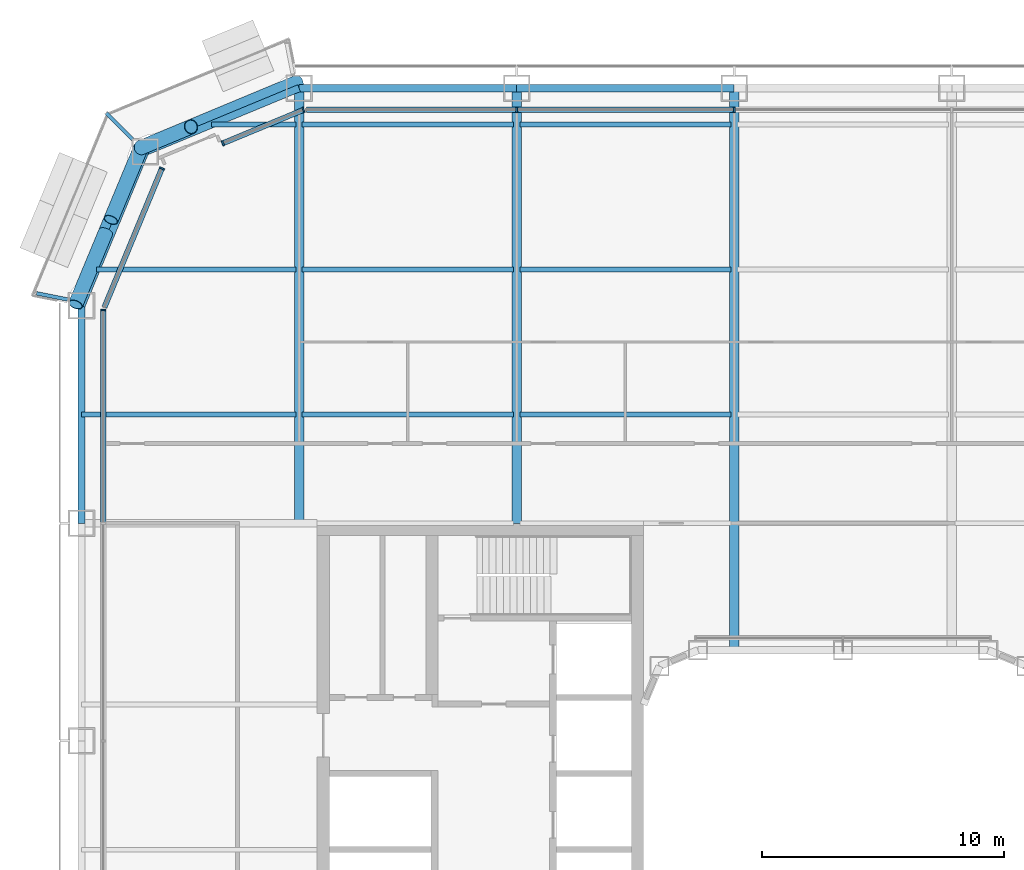
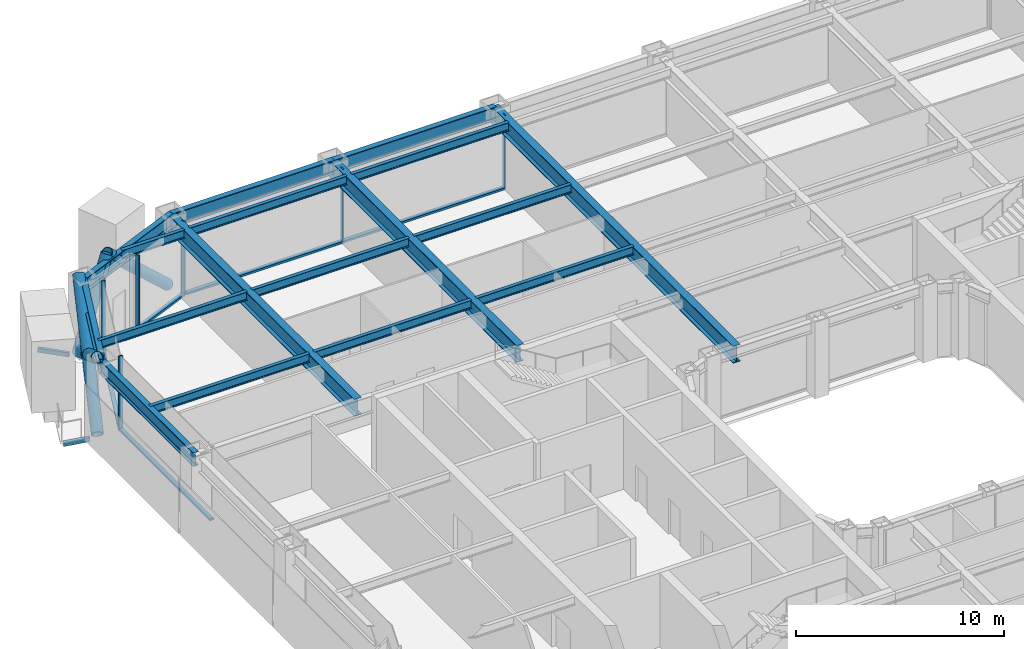
# One storey, part 7 of 29: 19 beams, 16 members, 4 elements without a shape of their own.
"""IFC4 building model written with IfcOpenShell, lengths in metres."""

import ifcopenshell
import ifcopenshell.guid

model = None  # the IFC model being written
_history = None  # IfcOwnerHistory: only IFC2X3 demands one
_inside = {}  # id of a spatial element -> (the spatial element, [elements in it])
_under = {}  # id of a project, library or spatial element -> (it, [spatial elements below it])
_declared = {}  # id of a project -> (the project, [libraries it declares])
_typed = {}  # id of a type object -> (the type object, [elements of that type])
_made_of = {}  # id of a material, layer set ... -> (it, [elements and type objects made of it])


def new_model(schema):
    """Start an empty IFC model of exactly this schema.

    Asked for "IFC4X3", IfcOpenShell would pick the latest addendum, in which some entities
    have other attributes; the version numbers below select the first issue.
    IFC2X3 requires an IfcOwnerHistory on every rooted entity: one is made here for all.
    """
    global model, _history
    if schema == "IFC4X3":
        model = ifcopenshell.file(schema_version=(4, 3, 0, 0))
    else:
        model = ifcopenshell.file(schema=schema)
    _inside.clear()
    _under.clear()
    _declared.clear()
    _typed.clear()
    _made_of.clear()
    _history = None
    if model.schema == "IFC2X3":
        org = make("IfcOrganization", Name="unknown")
        user = make(
            "IfcPersonAndOrganization",
            ThePerson=make("IfcPerson", FamilyName="unknown"),
            TheOrganization=org,
        )
        app = make(
            "IfcApplication",
            ApplicationDeveloper=org,
            Version="unknown",
            ApplicationFullName="unknown",
            ApplicationIdentifier="unknown",
        )
        _history = make(
            "IfcOwnerHistory",
            OwningUser=user,
            OwningApplication=app,
            ChangeAction="ADDED",
            CreationDate=0,
        )
    return model


def make(cls, **values):
    """One entity of the class cls with the attributes given. An attribute that is None is left unset."""
    return model.create_entity(
        cls, **{name: value for name, value in values.items() if value is not None}
    )


def rooted(cls, **values):
    """An entity with a GlobalId (a new one), such as an element, a storey or a relation."""
    return make(cls, GlobalId=ifcopenshell.guid.new(), OwnerHistory=_history, **values)


def si_unit(unit_type, name, prefix=None):
    """IfcSIUnit, for example si_unit("LENGTHUNIT", "METRE", prefix="MILLI")."""
    return make("IfcSIUnit", UnitType=unit_type, Prefix=prefix, Name=name)


def assignment(units):
    """IfcUnitAssignment: the units of a project."""
    return None if units is None else make("IfcUnitAssignment", Units=units)


def point(xyz):
    """IfcCartesianPoint."""
    return None if xyz is None else make("IfcCartesianPoint", Coordinates=xyz)


def direction(xyz):
    """IfcDirection."""
    return None if xyz is None else make("IfcDirection", DirectionRatios=xyz)


def frame(location, z_axis=None, x_axis=None):
    """IfcAxis2Placement3D, a coordinate frame: its origin and axes. An axis left out is left unset."""
    return make(
        "IfcAxis2Placement3D",
        Location=point(location),
        Axis=direction(z_axis),
        RefDirection=direction(x_axis),
    )


def frame_2d(location, x_axis=None):
    """IfcAxis2Placement2D, a coordinate frame in the plane: its origin and x axis."""
    return make(
        "IfcAxis2Placement2D", Location=point(location), RefDirection=direction(x_axis)
    )


def origin():
    """The frame at (0, 0, 0) with its axes left unset."""
    return frame((0.0, 0.0, 0.0))


def origin_2d():
    """The frame at (0, 0) in the plane with its x axis left unset."""
    return frame_2d((0.0, 0.0))


def place(relative_to, where):
    """IfcLocalPlacement: puts the frame where relative to a parent placement (None: the world)."""
    return make(
        "IfcLocalPlacement", PlacementRelTo=relative_to, RelativePlacement=where
    )


def context(
    kind, dimensions, precision=None, world=None, true_north=None, identifier=None
):
    """IfcGeometricRepresentationContext, for example the 3D "Model" context."""
    return make(
        "IfcGeometricRepresentationContext",
        ContextIdentifier=identifier,
        ContextType=kind,
        CoordinateSpaceDimension=dimensions,
        Precision=precision,
        WorldCoordinateSystem=world,
        TrueNorth=true_north,
    )


def subcontext(parent, identifier, kind, view, scale=None):
    """IfcGeometricRepresentationSubContext, for example "Body" below "Model"."""
    return make(
        "IfcGeometricRepresentationSubContext",
        ContextIdentifier=identifier,
        ContextType=kind,
        ParentContext=parent,
        TargetScale=scale,
        TargetView=view,
    )


def project(units=None, contexts=None):
    """IfcProject with its units and contexts."""
    return rooted(
        "IfcProject",
        Name="project",
        RepresentationContexts=contexts,
        UnitsInContext=assignment(units),
    )


def spatial(cls, under=None, at=None, **own):
    """A site, building, storey or space (cls), placed at a placement, below another one or the project."""
    s = rooted(cls, ObjectPlacement=at, **own)
    if under is not None:
        _under.setdefault(under.id(), (under, []))[1].append(s)
    return s


def profile(cls, at=None, kind="AREA", **sizes):
    """A parametric profile (cls). Its sizes go by their IFC names, for example OverallWidth=200.0."""
    return make(cls, ProfileType=kind, Position=at, **sizes)


def rectangle(**sizes):
    """IfcRectangleProfileDef."""
    return profile("IfcRectangleProfileDef", **sizes)


def hollow_rectangle(**sizes):
    """IfcRectangleHollowProfileDef."""
    return profile("IfcRectangleHollowProfileDef", **sizes)


def hollow_circle(**sizes):
    """IfcCircleHollowProfileDef."""
    return profile("IfcCircleHollowProfileDef", **sizes)


def i_section(**sizes):
    """IfcIShapeProfileDef."""
    return profile("IfcIShapeProfileDef", **sizes)


def extrude(swept, where, along, depth):
    """IfcExtrudedAreaSolid: the profile swept, set in the frame where, extruded along a direction by depth."""
    return make(
        "IfcExtrudedAreaSolid",
        SweptArea=swept,
        Position=where,
        ExtrudedDirection=direction(along),
        Depth=depth,
    )


def shape(context_of_items, identifier, shape_type, items):
    """IfcShapeRepresentation: the items that make up one representation, for example the "Body"."""
    return make(
        "IfcShapeRepresentation",
        ContextOfItems=context_of_items,
        RepresentationIdentifier=identifier,
        RepresentationType=shape_type,
        Items=items,
    )


def material(Name=None, Category=None):
    """IfcMaterial."""
    return make("IfcMaterial", Name=Name, Category=Category)


def layer(
    of_material, thickness, ventilated=None, Name=None, Category=None, Priority=None
):
    """IfcMaterialLayer: one layer of a wall or slab, of a material (None: an air gap)."""
    return make(
        "IfcMaterialLayer",
        Material=of_material,
        LayerThickness=thickness,
        IsVentilated=ventilated,
        Name=Name,
        Category=Category,
        Priority=Priority,
    )


def layer_set(layers, Name=None):
    """IfcMaterialLayerSet."""
    return make("IfcMaterialLayerSet", MaterialLayers=layers, LayerSetName=Name)


def material_profile(
    of_material, cross_section, Name=None, Category=None, Priority=None
):
    """IfcMaterialProfile: a cross section and its material."""
    return make(
        "IfcMaterialProfile",
        Name=Name,
        Material=of_material,
        Profile=cross_section,
        Priority=Priority,
        Category=Category,
    )


def profile_set(profiles, Name=None, composite=None):
    """IfcMaterialProfileSet."""
    return make(
        "IfcMaterialProfileSet",
        Name=Name,
        MaterialProfiles=profiles,
        CompositeProfile=composite,
    )


def made_of(thing, what):
    """Note that an element or type object is made of a material, layer set ...; save() writes the relation."""
    if what is not None:
        _made_of.setdefault(what.id(), (what, []))[1].append(thing)
    return thing


def type_object(cls, material=None, **own):
    """A type object (cls), such as IfcWallType, which elements share."""
    return made_of(rooted(cls, **own), material)


def element(
    cls,
    number,
    at=None,
    inside=None,
    cuts=None,
    type_object=None,
    material=None,
    context=None,
    identifier="Body",
    shape_type=None,
    held_by="IfcProductDefinitionShape",
    body=None,
    shapes=None,
    **own,
):
    """One element of the class cls, such as IfcWall. Its Tag is "e" and its number.

    at: its placement. inside: the storey or other place that contains it. cuts: it is an
    opening in that element (IfcRelVoidsElement). A single representation is given by context,
    identifier, shape_type and body (its items); several are given by shapes. held_by: the class
    of the entity that holds the representations. save() writes the other relations.
    """
    e = rooted(cls, Tag="e%d" % number, ObjectPlacement=at, **own)
    if body is not None:
        shapes = [shape(context, identifier, shape_type, body)]
    if shapes is not None:
        e.Representation = make(held_by, Representations=shapes)
    if inside is not None:
        _inside.setdefault(inside.id(), (inside, []))[1].append(e)
    if cuts is not None:
        rooted(
            "IfcRelVoidsElement", RelatingBuildingElement=cuts, RelatedOpeningElement=e
        )
    if type_object is not None:
        _typed.setdefault(type_object.id(), (type_object, []))[1].append(e)
    return made_of(e, material)


def aggregate(whole, parts):
    """IfcRelAggregates: a whole, such as a stair, and the parts it consists of."""
    return rooted("IfcRelAggregates", RelatingObject=whole, RelatedObjects=parts)


def save(model, path):
    """Write the relations noted so far, then the file.

    IfcRelAggregates (storeys below a building ...), IfcRelContainedInSpatialStructure (elements
    in a storey), IfcRelDefinesByType, IfcRelAssociatesMaterial and IfcRelDeclares: one each for
    every whole, place, type object, material and project.
    """
    for whole, parts in _under.values():
        aggregate(whole, parts)
    for where, things in _inside.values():
        rooted(
            "IfcRelContainedInSpatialStructure",
            RelatedElements=things,
            RelatingStructure=where,
        )
    for kind, things in _typed.values():
        rooted("IfcRelDefinesByType", RelatedObjects=things, RelatingType=kind)
    for what, things in _made_of.values():
        rooted("IfcRelAssociatesMaterial", RelatedObjects=things, RelatingMaterial=what)
    for by, libraries in _declared.values():
        rooted("IfcRelDeclares", RelatingContext=by, RelatedDefinitions=libraries)
    model.write(path)


model = new_model("IFC4")

# Units and contexts
model_context = context("Model", 3, precision=1e-05, world=origin(), true_north=direction((0.0, 1.0)))
body_context = subcontext(model_context, "Body", "Model", "MODEL_VIEW")
ifc_project = project(units=[si_unit("LENGTHUNIT", "METRE"), si_unit("AREAUNIT", "SQUARE_METRE"), si_unit("VOLUMEUNIT", "CUBIC_METRE"), si_unit("PLANEANGLEUNIT", "RADIAN"), si_unit("MASSUNIT", "GRAM", prefix="KILO")], contexts=[model_context])

# Site, building, storey
site_placement = place(None, origin())
site = spatial("IfcSite", under=ifc_project, at=site_placement, CompositionType="ELEMENT")
building_placement = place(site_placement, origin())
building = spatial("IfcBuilding", under=site, at=building_placement, Name="Siwar Civic Tower", CompositionType="ELEMENT")
storey_placement = place(building_placement, frame((0.0, 0.0, 49.199951171875)))
storey = spatial("IfcBuildingStorey", under=building, at=storey_placement, Name="L10", CompositionType="ELEMENT", Elevation=49.199951171875)

# Beams
ifc_material_1 = material(Name="Steel S355", Category="steel")
ifc_material_profile_1 = material_profile(ifc_material_1, hollow_rectangle(XDim=0.14990234375, YDim=0.25, WallThickness=0.010009765625, at=origin_2d()), Name="RHS250x150x10")
ifc_profile_set_1 = profile_set([ifc_material_profile_1], Name="Steel S355")
beam_type_1 = type_object("IfcBeamType", Name="ENV-BALCONY ARM", PredefinedType="BEAM", material=ifc_profile_set_1)
beam_1_placement = place(storey_placement, frame((-29.378662109375, 29.378662109375, -0.27490234375), z_axis=(-0.707106781187, 0.707106781187, 0.0), x_axis=(-0.707106781187, -0.707106781187, 0.0)))
element("IfcBeam", 1, at=beam_1_placement, inside=storey, type_object=beam_type_1, Name="Balcony cantilever beam NW 2", PredefinedType="BEAM", context=body_context, shape_type="SweptSolid", body=[
    extrude(hollow_rectangle(XDim=0.14990234375, YDim=0.25, WallThickness=0.010009765625, at=origin_2d()), origin(), (0.0, 0.0, 1.0), 1.545166015625),
])
beam_2_placement = place(storey_placement, frame((-32.059814453125, 22.754150390625, -0.27490234375), z_axis=(-0.980799833553, 0.195017144127, 0.0), x_axis=(-0.195017144127, -0.980799833553, 0.0)))
element("IfcBeam", 2, at=beam_2_placement, inside=storey, type_object=beam_type_1, Name="Balcony cantilever beam NW 3", PredefinedType="BEAM", context=body_context, shape_type="SweptSolid", body=[
    extrude(hollow_rectangle(XDim=0.14990234375, YDim=0.25, WallThickness=0.010009765625, at=origin_2d()), origin(), (0.0, 0.0, 1.0), 1.324462890625),
])

# Curtain wall, members
ifc_material_2 = material(Name="Aluminium and glass", Category="aluminium")
ifc_layer_1 = layer(ifc_material_2, 0.219970703125)
ifc_layer_set_1 = layer_set([ifc_layer_1], Name="Aluminium and glass")
curtain_wall_type_1 = type_object("IfcCurtainWallType", Name="ENV-CW-A", PredefinedType="NOTDEFINED", material=ifc_layer_set_1)
curtain_wall_1_placement = place(storey_placement, origin())
curtain_wall_1 = element("IfcCurtainWall", 3, at=curtain_wall_1_placement, inside=storey, type_object=curtain_wall_type_1, Name="Curtain wall A N", PredefinedType="NOTDEFINED")
ifc_material_3 = material(Name="Aluminium 6063-T6", Category="aluminium")
ifc_material_profile_2 = material_profile(ifc_material_3, rectangle(XDim=0.219970703125, YDim=0.070068359375, at=origin_2d()), Name="AL 220x70")
ifc_profile_set_2 = profile_set([ifc_material_profile_2], Name="Aluminium 6063-T6")
member_type_1 = type_object("IfcMemberType", Name="ENV-MULLION-A", PredefinedType="MULLION", material=ifc_profile_set_2)
member_1_placement = place(storey_placement, frame((-4.5, 30.60009765625, 0.0), z_axis=(0.0, 0.0, 1.0), x_axis=(0.0, -1.0, 0.0)))
member_1 = element("IfcMember", 4, at=member_1_placement, type_object=member_type_1, Name="Mullion A N 4", PredefinedType="MULLION", context=body_context, shape_type="SweptSolid", body=[
    extrude(rectangle(XDim=0.219970703125, YDim=0.070068359375, at=origin_2d()), origin(), (0.0, 0.0, 1.0), 4.35009765625),
])
member_2_placement = place(storey_placement, frame((-13.5, 30.60009765625, 0.0), z_axis=(0.0, 0.0, 1.0), x_axis=(0.0, -1.0, 0.0)))
member_2 = element("IfcMember", 5, at=member_2_placement, type_object=member_type_1, Name="Mullion A N 5", PredefinedType="MULLION", context=body_context, shape_type="SweptSolid", body=[
    extrude(rectangle(XDim=0.219970703125, YDim=0.070068359375, at=origin_2d()), origin(), (0.0, 0.0, 1.0), 4.35009765625),
])

ifc_material_4 = material(Name="Aluminium clad insulated panel", Category="aluminium")
ifc_layer_2 = layer(ifc_material_4, 0.219970703125)
ifc_layer_set_2 = layer_set([ifc_layer_2], Name="Aluminium clad insulated panel")
curtain_wall_type_2 = type_object("IfcCurtainWallType", Name="ENV-CW-AX", PredefinedType="NOTDEFINED", material=ifc_layer_set_2)
curtain_wall_2_placement = place(storey_placement, origin())
curtain_wall_2 = element("IfcCurtainWall", 6, at=curtain_wall_2_placement, inside=storey, type_object=curtain_wall_type_2, Name="Curtain wall A NW1", PredefinedType="NOTDEFINED")
member_3_placement = place(storey_placement, frame((-22.321044921875, 30.60009765625, 0.0), z_axis=(0.0, 0.0, 1.0), x_axis=(0.382683432365, -0.923879532511, 0.0)))
member_3 = element("IfcMember", 7, at=member_3_placement, type_object=member_type_1, Name="Mullion A NW1 1", PredefinedType="MULLION", context=body_context, shape_type="SweptSolid", body=[
    extrude(rectangle(XDim=0.219970703125, YDim=0.070068359375, at=origin_2d()), origin(), (0.0, 0.0, 1.0), 4.35009765625),
])
member_4_placement = place(storey_placement, frame((-25.653564453125, 29.219482421875, 0.0), z_axis=(0.0, 0.0, 1.0), x_axis=(0.382683432365, -0.923879532511, 0.0)))
member_4 = element("IfcMember", 8, at=member_4_placement, type_object=member_type_1, Name="Mullion A NW1 2", PredefinedType="MULLION", context=body_context, shape_type="SweptSolid", body=[
    extrude(rectangle(XDim=0.219970703125, YDim=0.070068359375, at=origin_2d()), origin(), (0.0, 0.0, 1.0), 4.35009765625),
])

# Curtain wall, member
curtain_wall_3_placement = place(storey_placement, origin())
curtain_wall_3 = element("IfcCurtainWall", 9, at=curtain_wall_3_placement, inside=storey, type_object=curtain_wall_type_2, Name="Curtain wall A NW2", PredefinedType="NOTDEFINED")
member_5_placement = place(storey_placement, frame((-28.175048828125, 28.175048828125, 0.0), z_axis=(0.0, 0.0, 1.0), x_axis=(0.923879532511, -0.382683432365, 0.0)))
member_5 = element("IfcMember", 10, at=member_5_placement, type_object=member_type_1, Name="Mullion A NW2 1", PredefinedType="MULLION", context=body_context, shape_type="SweptSolid", body=[
    extrude(rectangle(XDim=0.219970703125, YDim=0.070068359375, at=origin_2d()), origin(), (0.0, 0.0, 1.0), 4.35009765625),
])

curtain_wall_4_placement = place(storey_placement, origin())
curtain_wall_4 = element("IfcCurtainWall", 11, at=curtain_wall_4_placement, inside=storey, type_object=curtain_wall_type_1, Name="Curtain wall A W", PredefinedType="NOTDEFINED")
member_6_placement = place(storey_placement, frame((-30.60009765625, 22.321044921875, 0.0), z_axis=(0.0, 0.0, 1.0), x_axis=(1.0, 0.0, 0.0)))
member_6 = element("IfcMember", 12, at=member_6_placement, type_object=member_type_1, Name="Mullion A W 1", PredefinedType="MULLION", context=body_context, shape_type="SweptSolid", body=[
    extrude(rectangle(XDim=0.219970703125, YDim=0.070068359375, at=origin_2d()), origin(), (0.0, 0.0, 1.0), 4.35009765625),
])

# Member
ifc_material_5 = material(Name="Aluminium 6063-T6", Category="aluminium")
ifc_material_profile_3 = material_profile(ifc_material_5, rectangle(XDim=0.219970703125, YDim=0.1201171875, at=origin_2d()), Name="AL 220x120")
ifc_profile_set_3 = profile_set([ifc_material_profile_3], Name="Aluminium 6063-T6")
member_type_2 = type_object("IfcMemberType", Name="ENV-TRANSOM-A", PredefinedType="USERDEFINED", material=ifc_profile_set_3)
member_7_placement = place(storey_placement, frame((-4.534912109375, 30.60009765625, 0.06005859375), z_axis=(-1.0, 0.0, 0.0), x_axis=(0.0, -1.0, 0.0)))
member_7 = element("IfcMember", 13, at=member_7_placement, type_object=member_type_2, Name="Transom A N 4", ObjectType="TRANSOM", PredefinedType="USERDEFINED", context=body_context, shape_type="SweptSolid", body=[
    extrude(rectangle(XDim=0.219970703125, YDim=0.1201171875, at=origin_2d()), origin(), (0.0, 0.0, 1.0), 8.93017578125),
])

member_8_placement = place(storey_placement, frame((-13.534912109375, 30.60009765625, 0.06005859375), z_axis=(-1.0, 0.0, 0.0), x_axis=(0.0, -1.0, 0.0)))
member_8 = element("IfcMember", 14, at=member_8_placement, type_object=member_type_2, Name="Transom A N 5", ObjectType="TRANSOM", PredefinedType="USERDEFINED", context=body_context, shape_type="SweptSolid", body=[
    extrude(rectangle(XDim=0.219970703125, YDim=0.1201171875, at=origin_2d()), origin(), (0.0, 0.0, 1.0), 8.66357421875),
])

aggregate(curtain_wall_1, [member_1, member_2, member_7, member_8])

member_9_placement = place(storey_placement, frame((-22.353271484375, 30.586669921875, 0.06005859375), z_axis=(-0.923871302809, -0.38270330002, 0.0), x_axis=(0.38270330002, -0.923871302809, 0.0)))
member_9 = element("IfcMember", 15, at=member_9_placement, type_object=member_type_2, Name="Transom A NW1 1", ObjectType="TRANSOM", PredefinedType="USERDEFINED", context=body_context, shape_type="SweptSolid", body=[
    extrude(rectangle(XDim=0.219970703125, YDim=0.1201171875, at=origin_2d()), origin(), (0.0, 0.0, 1.0), 3.537353515625),
])

aggregate(curtain_wall_2, [member_3, member_4, member_9])

member_10_placement = place(storey_placement, frame((-28.1884765625, 28.142822265625, 0.06005859375), z_axis=(-0.382698415042, -0.923873326341, 0.0), x_axis=(0.923873326341, -0.382698415042, 0.0)))
member_10 = element("IfcMember", 16, at=member_10_placement, type_object=member_type_2, Name="Transom A NW2 1", ObjectType="TRANSOM", PredefinedType="USERDEFINED", context=body_context, shape_type="SweptSolid", body=[
    extrude(rectangle(XDim=0.219970703125, YDim=0.1201171875, at=origin_2d()), origin(), (0.0, 0.0, 1.0), 6.17919921875),
])

aggregate(curtain_wall_3, [member_5, member_10])

member_11_placement = place(storey_placement, frame((-30.60009765625, 22.285888671875, 0.06005859375), z_axis=(0.0, -1.0, 0.0), x_axis=(1.0, 0.0, 0.0)))
member_11 = element("IfcMember", 17, at=member_11_placement, type_object=member_type_2, Name="Transom A W 1", ObjectType="TRANSOM", PredefinedType="USERDEFINED", context=body_context, shape_type="SweptSolid", body=[
    extrude(rectangle(XDim=0.219970703125, YDim=0.1201171875, at=origin_2d()), origin(), (0.0, 0.0, 1.0), 8.7509765625),
])

aggregate(curtain_wall_4, [member_6, member_11])

# Members
ifc_material_6 = material(Name="Steel S355", Category="steel")
ifc_material_profile_4 = material_profile(ifc_material_6, hollow_circle(Radius=0.304931640625, WallThickness=0.030029296875, at=origin_2d()), Name="CHS610x30")
ifc_profile_set_4 = profile_set([ifc_material_profile_4], Name="Steel S355")
member_type_3 = type_object("IfcMemberType", Name="STR-BR-CHS610x30", PredefinedType="BRACE", material=ifc_profile_set_4)
member_12_placement = place(storey_placement, frame((-31.7451171875, 22.548828125, 0.0), z_axis=(0.323905527954, 0.777554562952, 0.538975055633), x_axis=(-0.923108759191, 0.384538969033, 0.0)))
element("IfcMember", 18, at=member_12_placement, inside=storey, type_object=member_type_3, Name="L10/brc/ANW1-9-0-1", PredefinedType="BRACE", context=body_context, shape_type="SweptSolid", body=[
    extrude(hollow_circle(Radius=0.304931640625, WallThickness=0.030029296875, at=origin_2d()), origin(), (0.0, 0.0, 1.0), 8.34912109375),
])
member_13_placement = place(storey_placement, frame((-29.040771484375, 29.040771484375, 0.0), z_axis=(-0.323922979564, -0.777542179573, 0.53898243227), x_axis=(0.923099230484, -0.384561842466, 0.0)))
element("IfcMember", 19, at=member_13_placement, inside=storey, type_object=member_type_3, Name="L10/brc/ANW1-9-0-2", PredefinedType="BRACE", context=body_context, shape_type="SweptSolid", body=[
    extrude(hollow_circle(Radius=0.304931640625, WallThickness=0.030029296875, at=origin_2d()), origin(), (0.0, 0.0, 1.0), 3.84375),
])
member_14_placement = place(storey_placement, frame((-30.500244140625, 25.537353515625, 2.428466796875), z_axis=(-0.3238932121, -0.777559680196, 0.53897507446), x_axis=(0.923114847559, -0.384524353215, 0.0)))
element("IfcMember", 20, at=member_14_placement, inside=storey, type_object=member_type_3, Name="L10/brc/ANW1-9-0-3", PredefinedType="BRACE", context=body_context, shape_type="SweptSolid", body=[
    extrude(hollow_circle(Radius=0.304931640625, WallThickness=0.030029296875, at=origin_2d()), origin(), (0.0, 0.0, 1.0), 3.843505859375),
])
member_15_placement = place(storey_placement, frame((-22.548828125, 31.7451171875, 0.0), z_axis=(-0.672864582402, -0.280310719993, 0.684601456328), x_axis=(0.384557494138, -0.923101041979, 0.0)))
element("IfcMember", 21, at=member_15_placement, inside=storey, type_object=member_type_3, Name="L10/brc/ANW1-9-0-0", PredefinedType="BRACE", context=body_context, shape_type="SweptSolid", body=[
    extrude(hollow_circle(Radius=0.304931640625, WallThickness=0.030029296875, at=origin_2d()), origin(), (0.0, 0.0, 1.0), 6.5732421875),
])
member_16_placement = place(storey_placement, frame((-29.040771484375, 29.040771484375, 0.0), z_axis=(0.411570178484, 0.171426870802, 0.895110504993), x_axis=(-0.384499368559, 0.923125254544, 0.0)))
element("IfcMember", 22, at=member_16_placement, inside=storey, type_object=member_type_3, Name="L10/brc/ANW1-9-0-6", PredefinedType="BRACE", context=body_context, shape_type="SweptSolid", body=[
    extrude(hollow_circle(Radius=0.304931640625, WallThickness=0.030029296875, at=origin_2d()), origin(), (0.0, 0.0, 1.0), 5.02734375),
])

# Beams
ifc_material_7 = material(Name="Steel S355", Category="steel")
ifc_material_profile_5 = material_profile(ifc_material_7, i_section(OverallWidth=0.199951171875, OverallDepth=0.5, WebThickness=0.01025390625, FlangeThickness=0.01611328125, FilletRadius=0.02099609375, at=origin_2d()), Name="IPE500")
ifc_profile_set_5 = profile_set([ifc_material_profile_5], Name="Steel S355")
beam_type_2 = type_object("IfcBeamType", Name="STR-FB-IPE500", PredefinedType="JOIST", material=ifc_profile_set_5)
beam_3_placement = place(storey_placement, frame((-31.5, 18.0, 4.10009765625), z_axis=(1.0, 0.0, 0.0), x_axis=(0.0, 1.0, 0.0)))
element("IfcBeam", 23, at=beam_3_placement, inside=storey, type_object=beam_type_2, Name="L10/bm/F046", PredefinedType="JOIST", context=body_context, shape_type="SweptSolid", body=[
    extrude(i_section(OverallWidth=0.199951171875, OverallDepth=0.5, WebThickness=0.01025390625, FlangeThickness=0.01611328125, FilletRadius=0.02099609375, at=origin_2d()), origin(), (0.0, 0.0, 1.0), 8.8701171875),
])
for number, where, z_axis, x_axis, name in (
    (24, (-22.3701171875, 18.0, 4.10009765625), (1.0, 0.0, 0.0), (0.0, 1.0, 0.0), "L10/bm/F047"),
    (25, (-13.3701171875, 18.0, 4.10009765625), (1.0, 0.0, 0.0), (0.0, 1.0, 0.0), "L10/bm/F048"),
):
    element("IfcBeam", number, at=place(storey_placement, frame(where, z_axis=z_axis, x_axis=x_axis)), inside=storey, type_object=beam_type_2, Name=name, PredefinedType="JOIST", context=body_context, shape_type="SweptSolid", body=[
        extrude(i_section(OverallWidth=0.199951171875, OverallDepth=0.5, WebThickness=0.01025390625, FlangeThickness=0.01611328125, FilletRadius=0.02099609375, at=origin_2d()), origin(), (0.0, 0.0, 1.0), 8.740234375),
    ])
beam_4_placement = place(storey_placement, frame((-30.878662109375, 24.0, 4.10009765625), z_axis=(1.0, 0.0, 0.0), x_axis=(0.0, 1.0, 0.0)))
element("IfcBeam", 26, at=beam_4_placement, inside=storey, type_object=beam_type_2, Name="L10/bm/F053", PredefinedType="JOIST", context=body_context, shape_type="SweptSolid", body=[
    extrude(i_section(OverallWidth=0.199951171875, OverallDepth=0.5, WebThickness=0.01025390625, FlangeThickness=0.01611328125, FilletRadius=0.02099609375, at=origin_2d()), origin(), (0.0, 0.0, 1.0), 8.248779296875),
])
for number, where, z_axis, x_axis, name in (
    (27, (-22.3701171875, 24.0, 4.10009765625), (1.0, 0.0, 0.0), (0.0, 1.0, 0.0), "L10/bm/F054"),
    (28, (-13.3701171875, 24.0, 4.10009765625), (1.0, 0.0, 0.0), (0.0, 1.0, 0.0), "L10/bm/F055"),
):
    element("IfcBeam", number, at=place(storey_placement, frame(where, z_axis=z_axis, x_axis=x_axis)), inside=storey, type_object=beam_type_2, Name=name, PredefinedType="JOIST", context=body_context, shape_type="SweptSolid", body=[
        extrude(i_section(OverallWidth=0.199951171875, OverallDepth=0.5, WebThickness=0.01025390625, FlangeThickness=0.01611328125, FilletRadius=0.02099609375, at=origin_2d()), origin(), (0.0, 0.0, 1.0), 8.740234375),
    ])
beam_5_placement = place(storey_placement, frame((-26.121337890625, 30.0, 4.10009765625), z_axis=(1.0, 0.0, 0.0), x_axis=(0.0, 1.0, 0.0)))
element("IfcBeam", 29, at=beam_5_placement, inside=storey, type_object=beam_type_2, Name="L10/bm/F060", PredefinedType="JOIST", context=body_context, shape_type="SweptSolid", body=[
    extrude(i_section(OverallWidth=0.199951171875, OverallDepth=0.5, WebThickness=0.01025390625, FlangeThickness=0.01611328125, FilletRadius=0.02099609375, at=origin_2d()), origin(), (0.0, 0.0, 1.0), 3.491455078125),
])
for number, where, z_axis, x_axis, name in (
    (30, (-22.3701171875, 30.0, 4.10009765625), (1.0, 0.0, 0.0), (0.0, 1.0, 0.0), "L10/bm/F061"),
    (31, (-13.3701171875, 30.0, 4.10009765625), (1.0, 0.0, 0.0), (0.0, 1.0, 0.0), "L10/bm/F062"),
):
    element("IfcBeam", number, at=place(storey_placement, frame(where, z_axis=z_axis, x_axis=x_axis)), inside=storey, type_object=beam_type_2, Name=name, PredefinedType="JOIST", context=body_context, shape_type="SweptSolid", body=[
        extrude(i_section(OverallWidth=0.199951171875, OverallDepth=0.5, WebThickness=0.01025390625, FlangeThickness=0.01611328125, FilletRadius=0.02099609375, at=origin_2d()), origin(), (0.0, 0.0, 1.0), 8.740234375),
    ])
ifc_material_8 = material(Name="Steel S355", Category="steel")
ifc_material_profile_6 = material_profile(ifc_material_8, i_section(OverallWidth=0.39990234375, OverallDepth=1.0, WebThickness=0.01611328125, FlangeThickness=0.0400390625, at=origin_2d()), Name="PG1000x400x16x40")
ifc_profile_set_6 = profile_set([ifc_material_profile_6], Name="Steel S355")
beam_type_3 = type_object("IfcBeamType", Name="STR-PG-PG1000x400x16x40", PredefinedType="BEAM", material=ifc_profile_set_6)
for number, where, z_axis, x_axis, name in (
    (32, (-22.5, 13.5, 3.85009765625), (0.0, 1.0, 0.0), (-1.0, 0.0, 0.0), "L10/bm/G02"),
    (33, (-13.5, 13.5, 3.85009765625), (0.0, 1.0, 0.0), (-1.0, 0.0, 0.0), "L10/bm/G04"),
):
    element("IfcBeam", number, at=place(storey_placement, frame(where, z_axis=z_axis, x_axis=x_axis)), inside=storey, type_object=beam_type_3, Name=name, PredefinedType="BEAM", context=body_context, shape_type="SweptSolid", body=[
        extrude(i_section(OverallWidth=0.39990234375, OverallDepth=1.0, WebThickness=0.01611328125, FlangeThickness=0.0400390625, at=origin_2d()), origin(), (0.0, 0.0, 1.0), 18.0),
    ])
beam_6_placement = place(storey_placement, frame((-4.5, 8.25, 3.85009765625), z_axis=(0.0, 1.0, 0.0), x_axis=(-1.0, 0.0, 0.0)))
element("IfcBeam", 34, at=beam_6_placement, inside=storey, type_object=beam_type_3, Name="L10/bm/G06", PredefinedType="BEAM", context=body_context, shape_type="SweptSolid", body=[
    extrude(i_section(OverallWidth=0.39990234375, OverallDepth=1.0, WebThickness=0.01611328125, FlangeThickness=0.0400390625, at=origin_2d()), origin(), (0.0, 0.0, 1.0), 23.25),
])
ifc_material_9 = material(Name="Steel S355", Category="steel")
ifc_material_profile_7 = material_profile(ifc_material_9, i_section(OverallWidth=0.302978515625, OverallDepth=0.81396484375, WebThickness=0.02099609375, FlangeThickness=0.0400390625, FilletRadius=0.030029296875, at=origin_2d()), Name="HEM800")
ifc_profile_set_7 = profile_set([ifc_material_profile_7], Name="Steel S355")
beam_type_4 = type_object("IfcBeamType", Name="STR-SB-HEM800", PredefinedType="BEAM", material=ifc_profile_set_7)
for number, where, z_axis, x_axis, name in (
    (35, (-4.5, 31.5, 3.943115234375), (-1.0, 0.0, 0.0), (0.0, -1.0, 0.0), "L10/bm/SN-3"),
    (36, (-13.5, 31.5, 3.943115234375), (-1.0, 0.0, 0.0), (0.0, -1.0, 0.0), "L10/bm/SN-4"),
):
    element("IfcBeam", number, at=place(storey_placement, frame(where, z_axis=z_axis, x_axis=x_axis)), inside=storey, type_object=beam_type_4, Name=name, PredefinedType="BEAM", context=body_context, shape_type="SweptSolid", body=[
        extrude(i_section(OverallWidth=0.302978515625, OverallDepth=0.81396484375, WebThickness=0.02099609375, FlangeThickness=0.0400390625, FilletRadius=0.030029296875, at=origin_2d()), origin(), (0.0, 0.0, 1.0), 9.0),
    ])
for number, where, z_axis, x_axis, name in (
    (37, (-22.5, 31.5, 3.943115234375), (-0.923883353507, -0.382674207535, 0.0), (0.382674207535, -0.923883353507, 0.0), "L10/bm/SNW1-0"),
    (38, (-28.864013671875, 28.864013671875, 3.943115234375), (-0.382674207535, -0.923883353507, 0.0), (0.923883353507, -0.382674207535, 0.0), "L10/bm/SNW2-0"),
):
    element("IfcBeam", number, at=place(storey_placement, frame(where, z_axis=z_axis, x_axis=x_axis)), inside=storey, type_object=beam_type_4, Name=name, PredefinedType="BEAM", context=body_context, shape_type="SweptSolid", body=[
        extrude(i_section(OverallWidth=0.302978515625, OverallDepth=0.81396484375, WebThickness=0.02099609375, FlangeThickness=0.0400390625, FilletRadius=0.030029296875, at=origin_2d()), origin(), (0.0, 0.0, 1.0), 6.888427734375),
    ])
beam_7_placement = place(storey_placement, frame((-31.5, 22.5, 3.943115234375), z_axis=(0.0, -1.0, 0.0), x_axis=(1.0, 0.0, 0.0)))
element("IfcBeam", 39, at=beam_7_placement, inside=storey, type_object=beam_type_4, Name="L10/bm/SW-0", PredefinedType="BEAM", context=body_context, shape_type="SweptSolid", body=[
    extrude(i_section(OverallWidth=0.302978515625, OverallDepth=0.81396484375, WebThickness=0.02099609375, FlangeThickness=0.0400390625, FilletRadius=0.030029296875, at=origin_2d()), origin(), (0.0, 0.0, 1.0), 9.0),
])

save(model, "model.ifc")
